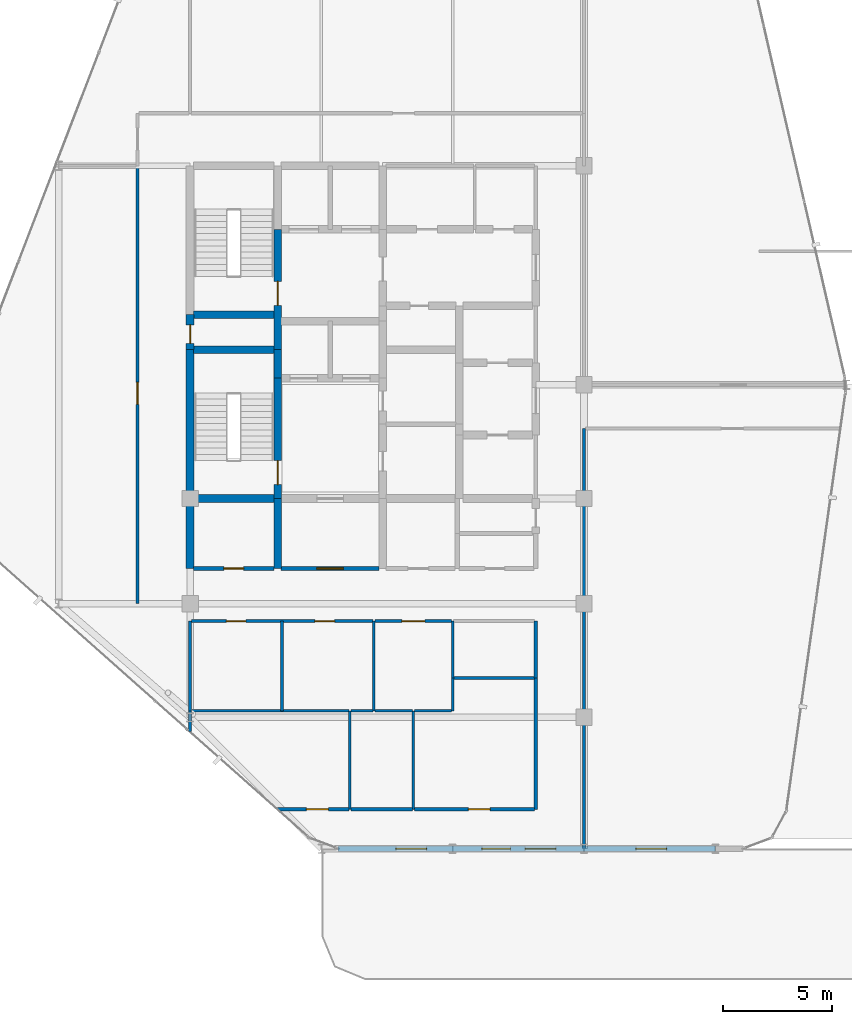
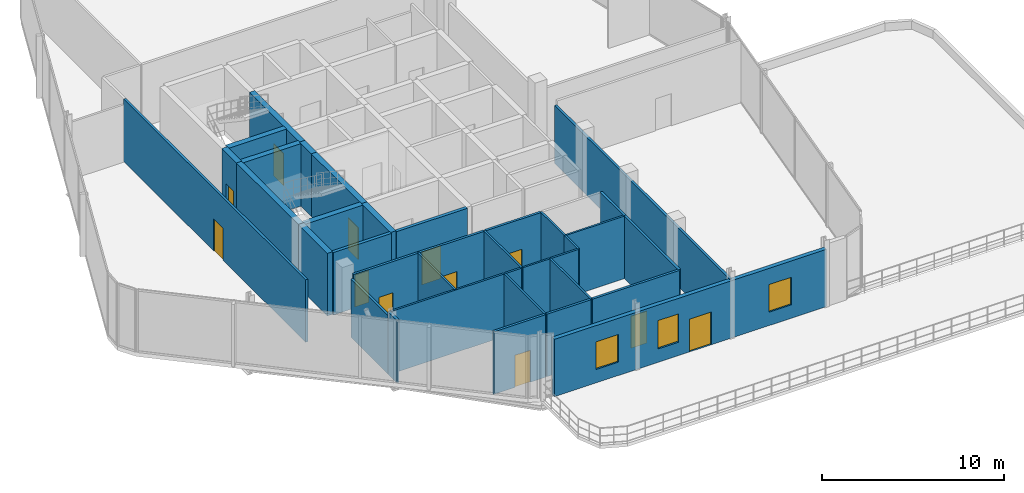
# One storey, part 20 of 24: 35 walls, 12 doors, 3 windows, 15 openings.
"""IFC4 building model written with IfcOpenShell, lengths in metres."""

from ifc_helpers import new_model, si_unit, direction, frame, frame_2d, origin, place, context, subcontext, project, spatial, rectangle, extrude, material, layer, layer_set, type_object, element, fill, save


model = new_model("IFC4")

# Units and contexts
model_context = context("Model", 3, precision=1e-05, world=origin(), true_north=direction((0.0, 1.0)))
body_context = subcontext(model_context, "Body", "Model", "MODEL_VIEW")
ifc_project = project(units=[si_unit("LENGTHUNIT", "METRE"), si_unit("AREAUNIT", "SQUARE_METRE"), si_unit("VOLUMEUNIT", "CUBIC_METRE"), si_unit("PLANEANGLEUNIT", "RADIAN"), si_unit("MASSUNIT", "GRAM", prefix="KILO")], contexts=[model_context])

# Site, building, storey
site_placement = place(None, origin())
site = spatial("IfcSite", under=ifc_project, at=site_placement, CompositionType="ELEMENT")
building_placement = place(site_placement, origin())
building = spatial("IfcBuilding", under=site, at=building_placement, Name="Keshet Zoharim Tower", CompositionType="ELEMENT")
storey_placement = place(building_placement, frame((0.0, 0.0, 242.800048828125)))
storey = spatial("IfcBuildingStorey", under=building, at=storey_placement, Name="L60", CompositionType="ELEMENT", Elevation=242.800048828125)

# Wall, opening, door
ifc_material_1 = material(Name="Gypsum Plasterboard", Category="gypsum")
ifc_layer_1 = layer(ifc_material_1, 0.14990234375)
ifc_layer_set_1 = layer_set([ifc_layer_1], Name="Gypsum Plasterboard")
wall_type_1 = type_object("IfcWallType", Name="WL-CLIN-150", PredefinedType="STANDARD", material=ifc_layer_set_1)
wall_1_placement = place(storey_placement, frame((12.60009765625, 17.89990234375, 0.0), z_axis=(0.0, 0.0, 1.0), x_axis=(0.0, 1.0, 0.0)))
wall_1 = element("IfcWall", 1, at=wall_1_placement, inside=storey, type_object=wall_type_1, Name="L60 Interior Wall 001", PredefinedType="STANDARD", context=body_context, shape_type="SweptSolid", body=[
    extrude(rectangle(XDim=20.0, YDim=0.14990234375, at=frame_2d((10.0, 0.0))), origin(), (0.0, 0.0, 1.0), 4.18994140625),
])
opening_1_placement = place(wall_1_placement, frame((9.10009765625, 0.0, 0.0)))
opening_1 = element("IfcOpeningElement", 2, at=opening_1_placement, cuts=wall_1, Name="Opening D-F310", PredefinedType="OPENING", context=body_context, shape_type="SweptSolid", body=[
    extrude(rectangle(XDim=1.0, YDim=2.14990234375, at=frame_2d((0.5, 1.074951171875))), frame((0.0, 0.0849609375, 0.0), z_axis=(0.0, -1.0, 0.0), x_axis=(1.0, 0.0, 0.0)), (0.0, 0.0, 1.0), 0.169921875),
])
ifc_material_2 = material(Name="Hardwood Timber", Category="wood")
door_type_1 = type_object("IfcDoorType", Name="DR-FD30-100", OperationType="NOTDEFINED", PredefinedType="DOOR", material=ifc_material_2)
door_1_placement = place(opening_1_placement, origin())
door_1 = element("IfcDoor", 3, at=door_1_placement, inside=storey, type_object=door_type_1, Name="L60 Children Playroom Door", OperationType="SINGLE_SWING_RIGHT", OverallHeight=2.14990234375, OverallWidth=1.0, PredefinedType="DOOR", context=body_context, shape_type="SweptSolid", body=[
    extrude(rectangle(XDim=1.0, YDim=2.14990234375, at=frame_2d((0.5, 1.074951171875))), frame((0.0, 0.02490234375, 0.0), z_axis=(0.0, -1.0, 0.0), x_axis=(1.0, 0.0, 0.0)), (0.0, 0.0, 1.0), 0.050048828125),
])
fill(opening_1, door_1)

# Walls
wall_2_placement = place(storey_placement, frame((15.0, 12.04296875, 0.0), z_axis=(0.0, 0.0, 1.0), x_axis=(0.0, 1.0, 0.0)))
element("IfcWall", 4, at=wall_2_placement, inside=storey, type_object=wall_type_1, Name="L60 Interior Wall 003", PredefinedType="STANDARD", context=body_context, shape_type="SweptSolid", body=[
    extrude(rectangle(XDim=0.95703125, YDim=0.14990234375, at=frame_2d((0.478515625, 0.0))), origin(), (0.0, 0.0, 1.0), 4.18994140625),
])
wall_3_placement = place(storey_placement, frame((15.0, 13.0, 0.0), z_axis=(0.0, 0.0, 1.0), x_axis=(0.0, 1.0, 0.0)))
element("IfcWall", 5, at=wall_3_placement, inside=storey, type_object=wall_type_1, Name="L60 Interior Wall 004", PredefinedType="STANDARD", context=body_context, shape_type="SweptSolid", body=[
    extrude(rectangle(XDim=4.10009765625, YDim=0.14990234375, at=frame_2d((2.050048828125, 0.0))), origin(), (0.0, 0.0, 1.0), 3.89990234375),
])
wall_4_placement = place(storey_placement, frame((30.800048828125, 8.5, 0.0), z_axis=(0.0, 0.0, 1.0), x_axis=(0.0, 1.0, 0.0)))
element("IfcWall", 6, at=wall_4_placement, inside=storey, type_object=wall_type_1, Name="L60 Interior Wall 037", PredefinedType="STANDARD", context=body_context, shape_type="SweptSolid", body=[
    extrude(rectangle(XDim=6.0, YDim=0.14990234375, at=frame_2d((3.0, 0.0))), origin(), (0.0, 0.0, 1.0), 4.18994140625),
])
wall_5_placement = place(storey_placement, frame((30.800048828125, 14.5, 0.0), z_axis=(0.0, 0.0, 1.0), x_axis=(0.0, 1.0, 0.0)))
element("IfcWall", 7, at=wall_5_placement, inside=storey, type_object=wall_type_1, Name="L60 Interior Wall 038", PredefinedType="STANDARD", context=body_context, shape_type="SweptSolid", body=[
    extrude(rectangle(XDim=2.60009765625, YDim=0.14990234375, at=frame_2d((1.300048828125, 0.0))), origin(), (0.0, 0.0, 1.0), 4.18994140625),
])
wall_6_placement = place(storey_placement, frame((33.0, 6.7099609375, 0.0), z_axis=(0.0, 0.0, 1.0), x_axis=(0.0, 1.0, 0.0)))
element("IfcWall", 8, at=wall_6_placement, inside=storey, type_object=wall_type_1, Name="L60 Interior Wall 046", PredefinedType="STANDARD", context=body_context, shape_type="SweptSolid", body=[
    extrude(rectangle(XDim=19.18994140625, YDim=0.14990234375, at=frame_2d((9.594970703125, 0.0))), origin(), (0.0, 0.0, 1.0), 3.89990234375),
])

# Wall, opening, door
wall_7_placement = place(storey_placement, frame((18.985107421875, 8.5, 0.0), z_axis=(0.0, 0.0, 1.0), x_axis=(1.0, 0.0, 0.0)))
wall_7 = element("IfcWall", 9, at=wall_7_placement, inside=storey, type_object=wall_type_1, Name="L60 Interior Wall 049", PredefinedType="STANDARD", context=body_context, shape_type="SweptSolid", body=[
    extrude(rectangle(XDim=3.269775390625, YDim=0.14990234375, at=frame_2d((1.634765625, 0.0))), origin(), (0.0, 0.0, 1.0), 4.18994140625),
])
opening_2_placement = place(wall_7_placement, frame((1.3330078125, 0.0, 0.0)))
opening_2 = element("IfcOpeningElement", 10, at=opening_2_placement, cuts=wall_7, Name="Opening D-F310", PredefinedType="OPENING", context=body_context, shape_type="SweptSolid", body=[
    extrude(rectangle(XDim=1.0, YDim=2.14990234375, at=frame_2d((0.5, 1.074951171875))), frame((0.0, 0.0849609375, 0.0), z_axis=(0.0, -1.0, 0.0), x_axis=(1.0, 0.0, 0.0)), (0.0, 0.0, 1.0), 0.169921875),
])
door_2_placement = place(opening_2_placement, origin())
door_2 = element("IfcDoor", 11, at=door_2_placement, inside=storey, type_object=door_type_1, Name="L60 Residents Laundry Room Door", OperationType="SINGLE_SWING_LEFT", OverallHeight=2.14990234375, OverallWidth=1.0, PredefinedType="DOOR", context=body_context, shape_type="SweptSolid", body=[
    extrude(rectangle(XDim=1.0, YDim=2.14990234375, at=frame_2d((0.5, 1.074951171875))), frame((0.0, 0.02490234375, 0.0), z_axis=(0.0, -1.0, 0.0), x_axis=(1.0, 0.0, 0.0)), (0.0, 0.0, 1.0), 0.050048828125),
])
fill(opening_2, door_2)

# Wall
wall_8_placement = place(storey_placement, frame((22.344970703125, 8.5, 0.0), z_axis=(0.0, 0.0, 1.0), x_axis=(1.0, 0.0, 0.0)))
element("IfcWall", 12, at=wall_8_placement, inside=storey, type_object=wall_type_1, Name="L60 Interior Wall 050", PredefinedType="STANDARD", context=body_context, shape_type="SweptSolid", body=[
    extrude(rectangle(XDim=2.81005859375, YDim=0.14990234375, at=frame_2d((1.405029296875, 0.0))), origin(), (0.0, 0.0, 1.0), 4.18994140625),
])

# Wall, opening, door
wall_9_placement = place(storey_placement, frame((25.2451171875, 8.5, 0.0), z_axis=(0.0, 0.0, 1.0), x_axis=(1.0, 0.0, 0.0)))
wall_9 = element("IfcWall", 13, at=wall_9_placement, inside=storey, type_object=wall_type_1, Name="L60 Interior Wall 051", PredefinedType="STANDARD", context=body_context, shape_type="SweptSolid", body=[
    extrude(rectangle(XDim=5.494873046875, YDim=0.14990234375, at=frame_2d((2.74755859375, 0.0))), origin(), (0.0, 0.0, 1.0), 4.18994140625),
])
opening_3_placement = place(wall_9_placement, frame((2.468994140625, 0.0, 0.0)))
opening_3 = element("IfcOpeningElement", 14, at=opening_3_placement, cuts=wall_9, Name="Opening D-F310", PredefinedType="OPENING", context=body_context, shape_type="SweptSolid", body=[
    extrude(rectangle(XDim=1.0, YDim=2.14990234375, at=frame_2d((0.5, 1.074951171875))), frame((0.0, 0.0849609375, 0.0), z_axis=(0.0, -1.0, 0.0), x_axis=(1.0, 0.0, 0.0)), (0.0, 0.0, 1.0), 0.169921875),
])
door_3_placement = place(opening_3_placement, origin())
door_3 = element("IfcDoor", 15, at=door_3_placement, inside=storey, type_object=door_type_1, Name="L60 Shared Residents Kitchen Door", OperationType="SINGLE_SWING_RIGHT", OverallHeight=2.14990234375, OverallWidth=1.0, PredefinedType="DOOR", context=body_context, shape_type="SweptSolid", body=[
    extrude(rectangle(XDim=1.0, YDim=2.14990234375, at=frame_2d((0.5, 1.074951171875))), frame((0.0, 0.02490234375, 0.0), z_axis=(0.0, -1.0, 0.0), x_axis=(1.0, 0.0, 0.0)), (0.0, 0.0, 1.0), 0.050048828125),
])
fill(opening_3, door_3)

# Wall, openings, doors
wall_10_placement = place(storey_placement, frame((15.06005859375, 17.10009765625, 0.0), z_axis=(0.0, 0.0, 1.0), x_axis=(1.0, 0.0, 0.0)))
wall_10 = element("IfcWall", 16, at=wall_10_placement, inside=storey, type_object=wall_type_1, Name="L60 Interior Wall 057", PredefinedType="STANDARD", context=body_context, shape_type="SweptSolid", body=[
    extrude(rectangle(XDim=8.294921875, YDim=0.14990234375, at=frame_2d((4.1474609375, 0.0))), origin(), (0.0, 0.0, 1.0), 4.18994140625),
])
opening_4_placement = place(wall_10_placement, frame((1.594970703125, 0.0, 0.0)))
opening_4 = element("IfcOpeningElement", 17, at=opening_4_placement, cuts=wall_10, Name="Opening D-WT90", PredefinedType="OPENING", context=body_context, shape_type="SweptSolid", body=[
    extrude(rectangle(XDim=0.89990234375, YDim=2.10009765625, at=frame_2d((0.449951171875, 1.050048828125))), frame((0.0, 0.0849609375, 0.0), z_axis=(0.0, -1.0, 0.0), x_axis=(1.0, 0.0, 0.0)), (0.0, 0.0, 1.0), 0.169921875),
])
opening_5_placement = place(wall_10_placement, frame((5.64501953125, 0.0, 0.0)))
opening_5 = element("IfcOpeningElement", 18, at=opening_5_placement, cuts=wall_10, Name="Opening D-WT90", PredefinedType="OPENING", context=body_context, shape_type="SweptSolid", body=[
    extrude(rectangle(XDim=0.89990234375, YDim=2.10009765625, at=frame_2d((0.449951171875, 1.050048828125))), frame((0.0, 0.0849609375, 0.0), z_axis=(0.0, -1.0, 0.0), x_axis=(1.0, 0.0, 0.0)), (0.0, 0.0, 1.0), 0.169921875),
])
door_type_2 = type_object("IfcDoorType", Name="DR-WET-090", OperationType="NOTDEFINED", PredefinedType="DOOR", material=ifc_material_2)
door_4_placement = place(opening_4_placement, origin())
door_4 = element("IfcDoor", 19, at=door_4_placement, inside=storey, type_object=door_type_2, Name="L60 Public WCM Door", OperationType="SINGLE_SWING_LEFT", OverallHeight=2.10009765625, OverallWidth=0.89990234375, PredefinedType="DOOR", context=body_context, shape_type="SweptSolid", body=[
    extrude(rectangle(XDim=0.89990234375, YDim=2.10009765625, at=frame_2d((0.449951171875, 1.050048828125))), frame((0.0, 0.02490234375, 0.0), z_axis=(0.0, -1.0, 0.0), x_axis=(1.0, 0.0, 0.0)), (0.0, 0.0, 1.0), 0.050048828125),
])
fill(opening_4, door_4)
door_5_placement = place(opening_5_placement, origin())
door_5 = element("IfcDoor", 20, at=door_5_placement, inside=storey, type_object=door_type_2, Name="L60 Public WCF Door", OperationType="SINGLE_SWING_RIGHT", OverallHeight=2.10009765625, OverallWidth=0.89990234375, PredefinedType="DOOR", context=body_context, shape_type="SweptSolid", body=[
    extrude(rectangle(XDim=0.89990234375, YDim=2.10009765625, at=frame_2d((0.449951171875, 1.050048828125))), frame((0.0, 0.02490234375, 0.0), z_axis=(0.0, -1.0, 0.0), x_axis=(1.0, 0.0, 0.0)), (0.0, 0.0, 1.0), 0.050048828125),
])
fill(opening_5, door_5)

# Wall, opening, door
wall_11_placement = place(storey_placement, frame((23.445068359375, 17.10009765625, 0.0), z_axis=(0.0, 0.0, 1.0), x_axis=(1.0, 0.0, 0.0)))
wall_11 = element("IfcWall", 21, at=wall_11_placement, inside=storey, type_object=wall_type_1, Name="L60 Interior Wall 058", PredefinedType="STANDARD", context=body_context, shape_type="SweptSolid", body=[
    extrude(rectangle(XDim=3.510009765625, YDim=0.14990234375, at=frame_2d((1.7548828125, 0.0))), origin(), (0.0, 0.0, 1.0), 4.18994140625),
])
opening_6_placement = place(wall_11_placement, frame((1.22998046875, 0.0, 0.0)))
opening_6 = element("IfcOpeningElement", 22, at=opening_6_placement, cuts=wall_11, Name="Opening D-AC10", PredefinedType="OPENING", context=body_context, shape_type="SweptSolid", body=[
    extrude(rectangle(XDim=1.050048828125, YDim=2.14990234375, at=frame_2d((0.52490234375, 1.074951171875))), frame((0.0, 0.0849609375, 0.0), z_axis=(0.0, -1.0, 0.0), x_axis=(1.0, 0.0, 0.0)), (0.0, 0.0, 1.0), 0.169921875),
])
door_type_3 = type_object("IfcDoorType", Name="DR-ACC-105", OperationType="NOTDEFINED", PredefinedType="DOOR", material=ifc_material_2)
door_6_placement = place(opening_6_placement, origin())
door_6 = element("IfcDoor", 23, at=door_6_placement, inside=storey, type_object=door_type_3, Name="L60 Public WCA Door", OperationType="SINGLE_SWING_LEFT", OverallHeight=2.14990234375, OverallWidth=1.050048828125, PredefinedType="DOOR", context=body_context, shape_type="SweptSolid", body=[
    extrude(rectangle(XDim=1.050048828125, YDim=2.14990234375, at=frame_2d((0.52490234375, 1.074951171875))), frame((0.0, 0.02490234375, 0.0), z_axis=(0.0, -1.0, 0.0), x_axis=(1.0, 0.0, 0.0)), (0.0, 0.0, 1.0), 0.050048828125),
])
fill(opening_6, door_6)

# Walls
ifc_material_3 = material(Name="Concrete C60/75", Category="concrete")
ifc_layer_2 = layer(ifc_material_3, 0.35009765625)
ifc_layer_set_2 = layer_set([ifc_layer_2], Name="Concrete C60/75")
wall_type_2 = type_object("IfcWallType", Name="WL-CORE-350", PredefinedType="SHEAR", material=ifc_layer_set_2)
wall_12_placement = place(storey_placement, frame((15.0, 19.5, 0.0), z_axis=(0.0, 0.0, 1.0), x_axis=(0.0, 1.0, 0.0)))
element("IfcWall", 24, at=wall_12_placement, inside=storey, type_object=wall_type_2, Name="L60 Core Shear Wall 005", PredefinedType="SHEAR", context=body_context, shape_type="SweptSolid", body=[
    extrude(rectangle(XDim=3.199951171875, YDim=0.35009765625, at=frame_2d((1.60009765625, 0.0))), origin(), (0.0, 0.0, 1.0), 4.18994140625),
])
wall_13_placement = place(storey_placement, frame((15.0, 22.699951171875, 0.0), z_axis=(0.0, 0.0, 1.0), x_axis=(0.0, 1.0, 0.0)))
element("IfcWall", 25, at=wall_13_placement, inside=storey, type_object=wall_type_2, Name="L60 Core Shear Wall 006", PredefinedType="SHEAR", context=body_context, shape_type="SweptSolid", body=[
    extrude(rectangle(XDim=6.800048828125, YDim=0.35009765625, at=frame_2d((3.39990234375, 0.0))), origin(), (0.0, 0.0, 1.0), 4.18994140625),
])

# Wall, opening, door
wall_14_placement = place(storey_placement, frame((15.0, 29.5, 0.0), z_axis=(0.0, 0.0, 1.0), x_axis=(0.0, 1.0, 0.0)))
wall_14 = element("IfcWall", 26, at=wall_14_placement, inside=storey, type_object=wall_type_2, Name="L60 Core Shear Wall 007", PredefinedType="SHEAR", context=body_context, shape_type="SweptSolid", body=[
    extrude(rectangle(XDim=1.60009765625, YDim=0.35009765625, at=frame_2d((0.800048828125, 0.0))), origin(), (0.0, 0.0, 1.0), 4.18994140625),
])
opening_7_placement = place(wall_14_placement, frame((0.287109375, 0.0, 0.0)))
opening_7 = element("IfcOpeningElement", 27, at=opening_7_placement, cuts=wall_14, Name="Opening D-RS85", PredefinedType="OPENING", context=body_context, shape_type="SweptSolid", body=[
    extrude(rectangle(XDim=0.85009765625, YDim=2.10009765625, at=frame_2d((0.425048828125, 1.050048828125))), frame((0.0, 0.18505859375, 0.0), z_axis=(0.0, -1.0, 0.0), x_axis=(1.0, 0.0, 0.0)), (0.0, 0.0, 1.0), 0.3701171875),
])
door_type_4 = type_object("IfcDoorType", Name="DR-RIS-085", OperationType="NOTDEFINED", PredefinedType="DOOR", material=ifc_material_2)
door_7_placement = place(opening_7_placement, origin())
door_7 = element("IfcDoor", 28, at=door_7_placement, inside=storey, type_object=door_type_4, Name="L60 Electrical Riser Access Cupboard Door", OperationType="SINGLE_SWING_RIGHT", OverallHeight=2.10009765625, OverallWidth=0.85009765625, PredefinedType="DOOR", context=body_context, shape_type="SweptSolid", body=[
    extrude(rectangle(XDim=0.85009765625, YDim=2.10009765625, at=frame_2d((0.425048828125, 1.050048828125))), frame((0.0, 0.02490234375, 0.0), z_axis=(0.0, -1.0, 0.0), x_axis=(1.0, 0.0, 0.0)), (0.0, 0.0, 1.0), 0.050048828125),
])
fill(opening_7, door_7)

# Wall
wall_15_placement = place(storey_placement, frame((19.0, 19.5, 0.0), z_axis=(0.0, 0.0, 1.0), x_axis=(0.0, 1.0, 0.0)))
element("IfcWall", 29, at=wall_15_placement, inside=storey, type_object=wall_type_2, Name="L60 Core Shear Wall 010", PredefinedType="SHEAR", context=body_context, shape_type="SweptSolid", body=[
    extrude(rectangle(XDim=3.199951171875, YDim=0.35009765625, at=frame_2d((1.60009765625, 0.0))), origin(), (0.0, 0.0, 1.0), 4.18994140625),
])

# Wall, opening, door
wall_16_placement = place(storey_placement, frame((19.0, 22.699951171875, 0.0), z_axis=(0.0, 0.0, 1.0), x_axis=(0.0, 1.0, 0.0)))
wall_16 = element("IfcWall", 30, at=wall_16_placement, inside=storey, type_object=wall_type_2, Name="L60 Core Shear Wall 011", PredefinedType="SHEAR", context=body_context, shape_type="SweptSolid", body=[
    extrude(rectangle(XDim=5.5, YDim=0.35009765625, at=frame_2d((2.75, 0.0))), origin(), (0.0, 0.0, 1.0), 4.18994140625),
])
opening_8_placement = place(wall_16_placement, frame((0.631103515625, 0.0, 0.0)))
opening_8 = element("IfcOpeningElement", 31, at=opening_8_placement, cuts=wall_16, Name="Opening D-F611", PredefinedType="OPENING", context=body_context, shape_type="SweptSolid", body=[
    extrude(rectangle(XDim=1.10009765625, YDim=2.14990234375, at=frame_2d((0.550048828125, 1.074951171875))), frame((0.0, 0.18505859375, 0.0), z_axis=(0.0, -1.0, 0.0), x_axis=(1.0, 0.0, 0.0)), (0.0, 0.0, 1.0), 0.3701171875),
])
door_type_5 = type_object("IfcDoorType", Name="DR-FD60-110", OperationType="NOTDEFINED", PredefinedType="DOOR", material=ifc_material_2)
door_8_placement = place(opening_8_placement, origin())
door_8 = element("IfcDoor", 32, at=door_8_placement, inside=storey, type_object=door_type_5, Name="L60 Exit Stair ST-01 Fire Door", OperationType="SINGLE_SWING_LEFT", OverallHeight=2.14990234375, OverallWidth=1.10009765625, PredefinedType="DOOR", context=body_context, shape_type="SweptSolid", body=[
    extrude(rectangle(XDim=1.10009765625, YDim=2.14990234375, at=frame_2d((0.550048828125, 1.074951171875))), frame((0.0, 0.02490234375, 0.0), z_axis=(0.0, -1.0, 0.0), x_axis=(1.0, 0.0, 0.0)), (0.0, 0.0, 1.0), 0.050048828125),
])
fill(opening_8, door_8)

# Wall
wall_17_placement = place(storey_placement, frame((19.0, 28.199951171875, 0.0), z_axis=(0.0, 0.0, 1.0), x_axis=(0.0, 1.0, 0.0)))
element("IfcWall", 33, at=wall_17_placement, inside=storey, type_object=wall_type_2, Name="L60 Core Shear Wall 012", PredefinedType="SHEAR", context=body_context, shape_type="SweptSolid", body=[
    extrude(rectangle(XDim=1.300048828125, YDim=0.35009765625, at=frame_2d((0.64990234375, 0.0))), origin(), (0.0, 0.0, 1.0), 4.18994140625),
])

# Wall, opening, door
wall_18_placement = place(storey_placement, frame((19.0, 29.5, 0.0), z_axis=(0.0, 0.0, 1.0), x_axis=(0.0, 1.0, 0.0)))
wall_18 = element("IfcWall", 34, at=wall_18_placement, inside=storey, type_object=wall_type_2, Name="L60 Core Shear Wall 013", PredefinedType="SHEAR", context=body_context, shape_type="SweptSolid", body=[
    extrude(rectangle(XDim=5.5, YDim=0.35009765625, at=frame_2d((2.75, 0.0))), origin(), (0.0, 0.0, 1.0), 4.18994140625),
])
opening_9_placement = place(wall_18_placement, frame((2.02490234375, 0.0, 0.0)))
opening_9 = element("IfcOpeningElement", 35, at=opening_9_placement, cuts=wall_18, Name="Opening D-F611", PredefinedType="OPENING", context=body_context, shape_type="SweptSolid", body=[
    extrude(rectangle(XDim=1.10009765625, YDim=2.14990234375, at=frame_2d((0.550048828125, 1.074951171875))), frame((0.0, 0.18505859375, 0.0), z_axis=(0.0, -1.0, 0.0), x_axis=(1.0, 0.0, 0.0)), (0.0, 0.0, 1.0), 0.3701171875),
])
door_9_placement = place(opening_9_placement, origin())
door_9 = element("IfcDoor", 36, at=door_9_placement, inside=storey, type_object=door_type_5, Name="L60 Exit Stair ST-02 Fire Door", OperationType="SINGLE_SWING_RIGHT", OverallHeight=2.14990234375, OverallWidth=1.10009765625, PredefinedType="DOOR", context=body_context, shape_type="SweptSolid", body=[
    extrude(rectangle(XDim=1.10009765625, YDim=2.14990234375, at=frame_2d((0.550048828125, 1.074951171875))), frame((0.0, 0.02490234375, 0.0), z_axis=(0.0, -1.0, 0.0), x_axis=(1.0, 0.0, 0.0)), (0.0, 0.0, 1.0), 0.050048828125),
])
fill(opening_9, door_9)

# Walls
for number, where, z_axis, x_axis, name in (
    (37, (15.159912109375, 22.699951171875, 0.0), (0.0, 0.0, 1.0), (1.0, 0.0, 0.0), "L60 Core Shear Wall 065"),
    (38, (15.159912109375, 29.5, 0.0), (0.0, 0.0, 1.0), (1.0, 0.0, 0.0), "L60 Core Shear Wall 075"),
    (39, (15.159912109375, 31.10009765625, 0.0), (0.0, 0.0, 1.0), (1.0, 0.0, 0.0), "L60 Core Shear Wall 078"),
):
    element("IfcWall", number, at=place(storey_placement, frame(where, z_axis=z_axis, x_axis=x_axis)), inside=storey, type_object=wall_type_2, Name=name, PredefinedType="SHEAR", context=body_context, shape_type="SweptSolid", body=[
        extrude(rectangle(XDim=3.68017578125, YDim=0.35009765625, at=frame_2d((1.840087890625, 0.0))), origin(), (0.0, 0.0, 1.0), 4.18994140625),
    ])

# Wall, openings, door, windows
ifc_material_4 = material(Name="Concrete C50/60 precast", Category="concrete")
ifc_layer_3 = layer(ifc_material_4, 0.260009765625)
ifc_layer_set_3 = layer_set([ifc_layer_3], Name="Concrete C50/60 precast")
wall_type_3 = type_object("IfcWallType", Name="WL-EXT-260", PredefinedType="STANDARD", material=ifc_layer_set_3)
wall_19_placement = place(storey_placement, frame((39.0, 6.699951171875, 0.0), z_axis=(0.0, 0.0, 1.0), x_axis=(-1.0, 0.0, 0.0)))
wall_19 = element("IfcWall", 40, at=wall_19_placement, inside=storey, type_object=wall_type_3, Name="L60 Exterior Facade Wall 01 Part 2", PredefinedType="STANDARD", context=body_context, shape_type="SweptSolid", body=[
    extrude(rectangle(XDim=17.239990234375, YDim=0.260009765625, at=frame_2d((8.6201171875, 0.0))), origin(), (0.0, 0.0, 1.0), 3.83984375),
])
opening_10_placement = place(wall_19_placement, frame((7.2880859375, 0.0, 0.0)))
opening_10 = element("IfcOpeningElement", 41, at=opening_10_placement, cuts=wall_19, Name="Opening D-TR14", PredefinedType="OPENING", context=body_context, shape_type="SweptSolid", body=[
    extrude(rectangle(XDim=1.39990234375, YDim=2.199951171875, at=frame_2d((0.699951171875, 1.10009765625))), frame((0.0, 0.14013671875, 0.0), z_axis=(0.0, -1.0, 0.0), x_axis=(1.0, 0.0, 0.0)), (0.0, 0.0, 1.0), 0.280029296875),
])
opening_11_placement = place(wall_19_placement, frame((2.22998046875, 0.0, 0.89990234375)))
opening_11 = element("IfcOpeningElement", 42, at=opening_11_placement, cuts=wall_19, Name="Opening W-140", PredefinedType="OPENING", context=body_context, shape_type="SweptSolid", body=[
    extrude(rectangle(XDim=1.39990234375, YDim=1.85009765625, at=frame_2d((0.699951171875, 0.925048828125))), frame((0.0, 0.14013671875, 0.0), z_axis=(0.0, -1.0, 0.0), x_axis=(1.0, 0.0, 0.0)), (0.0, 0.0, 1.0), 0.280029296875),
])
opening_12_placement = place(wall_19_placement, frame((9.366943359375, 0.0, 0.89990234375)))
opening_12 = element("IfcOpeningElement", 43, at=opening_12_placement, cuts=wall_19, Name="Opening W-130", PredefinedType="OPENING", context=body_context, shape_type="SweptSolid", body=[
    extrude(rectangle(XDim=1.300048828125, YDim=1.89990234375, at=frame_2d((0.64990234375, 0.949951171875))), frame((0.0, 0.14013671875, 0.0), z_axis=(0.0, -1.0, 0.0), x_axis=(1.0, 0.0, 0.0)), (0.0, 0.0, 1.0), 0.280029296875),
])
opening_13_placement = place(wall_19_placement, frame((13.196044921875, 0.0, 0.89990234375)))
opening_13 = element("IfcOpeningElement", 44, at=opening_13_placement, cuts=wall_19, Name="Opening W-140", PredefinedType="OPENING", context=body_context, shape_type="SweptSolid", body=[
    extrude(rectangle(XDim=1.39990234375, YDim=1.85009765625, at=frame_2d((0.699951171875, 0.925048828125))), frame((0.0, 0.14013671875, 0.0), z_axis=(0.0, -1.0, 0.0), x_axis=(1.0, 0.0, 0.0)), (0.0, 0.0, 1.0), 0.280029296875),
])
ifc_material_5 = material(Name="Aluminium 6063-T6", Category="aluminium")
door_type_6 = type_object("IfcDoorType", Name="DR-TER-140", OperationType="DOUBLE_DOOR_SINGLE_SWING", PredefinedType="DOOR", material=ifc_material_5)
door_10_placement = place(opening_10_placement, origin())
door_10 = element("IfcDoor", 45, at=door_10_placement, inside=storey, type_object=door_type_6, Name="L60 Sky Terrace Access Door 01", OperationType="DOUBLE_DOOR_SINGLE_SWING", OverallHeight=2.199951171875, OverallWidth=1.39990234375, PredefinedType="DOOR", context=body_context, shape_type="SweptSolid", body=[
    extrude(rectangle(XDim=1.39990234375, YDim=2.199951171875, at=frame_2d((0.699951171875, 1.10009765625))), frame((0.0, 0.02490234375, 0.0), z_axis=(0.0, -1.0, 0.0), x_axis=(1.0, 0.0, 0.0)), (0.0, 0.0, 1.0), 0.050048828125),
])
fill(opening_10, door_10)
ifc_material_6 = material(Name="Insulated Low-E Clear Glass", Category="glass")
window_type_1 = type_object("IfcWindowType", Name="WN-CRN-130", PartitioningType="SINGLE_PANEL", PredefinedType="WINDOW", material=ifc_material_6)
window_1_placement = place(opening_12_placement, origin())
window_1 = element("IfcWindow", 46, at=window_1_placement, inside=storey, type_object=window_type_1, Name="L60 Terrace Side Window 02", OverallHeight=1.89990234375, OverallWidth=1.300048828125, PartitioningType="SINGLE_PANEL", PredefinedType="WINDOW", context=body_context, shape_type="SweptSolid", body=[
    extrude(rectangle(XDim=1.300048828125, YDim=1.89990234375, at=frame_2d((0.64990234375, 0.949951171875))), frame((0.0, 0.030029296875, 0.0), z_axis=(0.0, -1.0, 0.0), x_axis=(1.0, 0.0, 0.0)), (0.0, 0.0, 1.0), 0.06005859375),
])
fill(opening_12, window_1)
window_type_2 = type_object("IfcWindowType", Name="WN-TER-140", PartitioningType="SINGLE_PANEL", PredefinedType="WINDOW", material=ifc_material_6)
window_2_placement = place(opening_11_placement, origin())
window_2 = element("IfcWindow", 47, at=window_2_placement, inside=storey, type_object=window_type_2, Name="L60 Terrace Side Window 01", OverallHeight=1.85009765625, OverallWidth=1.39990234375, PartitioningType="SINGLE_PANEL", PredefinedType="WINDOW", context=body_context, shape_type="SweptSolid", body=[
    extrude(rectangle(XDim=1.39990234375, YDim=1.85009765625, at=frame_2d((0.699951171875, 0.925048828125))), frame((0.0, 0.030029296875, 0.0), z_axis=(0.0, -1.0, 0.0), x_axis=(1.0, 0.0, 0.0)), (0.0, 0.0, 1.0), 0.06005859375),
])
fill(opening_11, window_2)
window_3_placement = place(opening_13_placement, origin())
window_3 = element("IfcWindow", 48, at=window_3_placement, inside=storey, type_object=window_type_2, Name="L60 Terrace Side Window 03", OverallHeight=1.85009765625, OverallWidth=1.39990234375, PartitioningType="SINGLE_PANEL", PredefinedType="WINDOW", context=body_context, shape_type="SweptSolid", body=[
    extrude(rectangle(XDim=1.39990234375, YDim=1.85009765625, at=frame_2d((0.699951171875, 0.925048828125))), frame((0.0, 0.030029296875, 0.0), z_axis=(0.0, -1.0, 0.0), x_axis=(1.0, 0.0, 0.0)), (0.0, 0.0, 1.0), 0.06005859375),
])
fill(opening_13, window_3)

# Wall, opening, door
ifc_material_7 = material(Name="Concrete C50/60", Category="concrete")
ifc_layer_4 = layer(ifc_material_7, 0.199951171875)
ifc_layer_set_4 = layer_set([ifc_layer_4], Name="Concrete C50/60")
wall_type_4 = type_object("IfcWallType", Name="WL-FIRE-200", PredefinedType="STANDARD", material=ifc_layer_set_4)
wall_20_placement = place(storey_placement, frame((15.159912109375, 19.5, 0.0), z_axis=(0.0, 0.0, 1.0), x_axis=(1.0, 0.0, 0.0)))
wall_20 = element("IfcWall", 49, at=wall_20_placement, inside=storey, type_object=wall_type_4, Name="L60 Interior Wall 060", PredefinedType="STANDARD", context=body_context, shape_type="SweptSolid", body=[
    extrude(rectangle(XDim=3.68017578125, YDim=0.199951171875, at=frame_2d((1.840087890625, 0.0))), origin(), (0.0, 0.0, 1.0), 4.18994140625),
])
opening_14_placement = place(wall_20_placement, frame((1.389892578125, 0.0, 0.0)))
opening_14 = element("IfcOpeningElement", 50, at=opening_14_placement, cuts=wall_20, Name="Opening D-F690", PredefinedType="OPENING", context=body_context, shape_type="SweptSolid", body=[
    extrude(rectangle(XDim=0.89990234375, YDim=2.14990234375, at=frame_2d((0.449951171875, 1.074951171875))), frame((0.0, 0.10986328125, 0.0), z_axis=(0.0, -1.0, 0.0), x_axis=(1.0, 0.0, 0.0)), (0.0, 0.0, 1.0), 0.219970703125),
])
door_type_7 = type_object("IfcDoorType", Name="DR-FD60-090", OperationType="NOTDEFINED", PredefinedType="DOOR", material=ifc_material_2)
door_11_placement = place(opening_14_placement, origin())
door_11 = element("IfcDoor", 51, at=door_11_placement, inside=storey, type_object=door_type_7, Name="L60 Refuse Store Door", OperationType="SINGLE_SWING_RIGHT", OverallHeight=2.14990234375, OverallWidth=0.89990234375, PredefinedType="DOOR", context=body_context, shape_type="SweptSolid", body=[
    extrude(rectangle(XDim=0.89990234375, YDim=2.14990234375, at=frame_2d((0.449951171875, 1.074951171875))), frame((0.0, 0.02490234375, 0.0), z_axis=(0.0, -1.0, 0.0), x_axis=(1.0, 0.0, 0.0)), (0.0, 0.0, 1.0), 0.050048828125),
])
fill(opening_14, door_11)

wall_21_placement = place(storey_placement, frame((19.159912109375, 19.5, 0.0), z_axis=(0.0, 0.0, 1.0), x_axis=(1.0, 0.0, 0.0)))
wall_21 = element("IfcWall", 52, at=wall_21_placement, inside=storey, type_object=wall_type_4, Name="L60 Interior Wall 061", PredefinedType="STANDARD", context=body_context, shape_type="SweptSolid", body=[
    extrude(rectangle(XDim=4.47998046875, YDim=0.199951171875, at=frame_2d((2.239990234375, 0.0))), origin(), (0.0, 0.0, 1.0), 4.18994140625),
])
opening_15_placement = place(wall_21_placement, frame((1.639892578125, 0.0, 0.0)))
opening_15 = element("IfcOpeningElement", 53, at=opening_15_placement, cuts=wall_21, Name="Opening D-F612", PredefinedType="OPENING", context=body_context, shape_type="SweptSolid", body=[
    extrude(rectangle(XDim=1.199951171875, YDim=2.199951171875, at=frame_2d((0.60009765625, 1.10009765625))), frame((0.0, 0.10986328125, 0.0), z_axis=(0.0, -1.0, 0.0), x_axis=(1.0, 0.0, 0.0)), (0.0, 0.0, 1.0), 0.219970703125),
])
door_type_8 = type_object("IfcDoorType", Name="DR-FD60-120", OperationType="NOTDEFINED", PredefinedType="DOOR", material=ifc_material_2)
door_12_placement = place(opening_15_placement, origin())
door_12 = element("IfcDoor", 54, at=door_12_placement, inside=storey, type_object=door_type_8, Name="L60 South Vestibule Corridor Door", OperationType="SINGLE_SWING_LEFT", OverallHeight=2.199951171875, OverallWidth=1.199951171875, PredefinedType="DOOR", context=body_context, shape_type="SweptSolid", body=[
    extrude(rectangle(XDim=1.199951171875, YDim=2.199951171875, at=frame_2d((0.60009765625, 1.10009765625))), frame((0.0, 0.02490234375, 0.0), z_axis=(0.0, -1.0, 0.0), x_axis=(1.0, 0.0, 0.0)), (0.0, 0.0, 1.0), 0.050048828125),
])
fill(opening_15, door_12)

# Walls
ifc_layer_5 = layer(ifc_material_1, 0.1201171875)
ifc_layer_set_5 = layer_set([ifc_layer_5], Name="Gypsum Plasterboard")
wall_type_5 = type_object("IfcWallType", Name="WL-PART-120", PredefinedType="PARTITIONING", material=ifc_layer_set_5)
for number, where, z_axis, x_axis, name in (
    (55, (22.300048828125, 8.5, 0.0), (0.0, 0.0, 1.0), (0.0, 1.0, 0.0), "L60 Interior Wall 018"),
    (56, (25.199951171875, 8.5, 0.0), (0.0, 0.0, 1.0), (0.0, 1.0, 0.0), "L60 Interior Wall 027"),
):
    element("IfcWall", number, at=place(storey_placement, frame(where, z_axis=z_axis, x_axis=x_axis)), inside=storey, type_object=wall_type_5, Name=name, PredefinedType="PARTITIONING", context=body_context, shape_type="SweptSolid", body=[
        extrude(rectangle(XDim=4.5, YDim=0.1201171875, at=frame_2d((2.25, 0.0))), origin(), (0.0, 0.0, 1.0), 4.18994140625),
    ])
wall_22_placement = place(storey_placement, frame((27.044921875, 14.5, 0.0), z_axis=(0.0, 0.0, 1.0), x_axis=(1.0, 0.0, 0.0)))
element("IfcWall", 57, at=wall_22_placement, inside=storey, type_object=wall_type_5, Name="L60 Interior Wall 056", PredefinedType="PARTITIONING", context=body_context, shape_type="SweptSolid", body=[
    extrude(rectangle(XDim=3.695068359375, YDim=0.1201171875, at=frame_2d((1.84765625, 0.0))), origin(), (0.0, 0.0, 1.0), 4.18994140625),
])
ifc_layer_6 = layer(ifc_material_1, 0.1201171875)
ifc_layer_set_6 = layer_set([ifc_layer_6], Name="Gypsum Plasterboard")
wall_type_6 = type_object("IfcWallType", Name="WL-WET-120", PredefinedType="PARTITIONING", material=ifc_layer_set_6)
for number, where, z_axis, x_axis, name in (
    (58, (19.199951171875, 13.0, 0.0), (0.0, 0.0, 1.0), (0.0, 1.0, 0.0), "L60 Interior Wall 015"),
    (59, (23.39990234375, 13.0, 0.0), (0.0, 0.0, 1.0), (0.0, 1.0, 0.0), "L60 Interior Wall 019"),
):
    element("IfcWall", number, at=place(storey_placement, frame(where, z_axis=z_axis, x_axis=x_axis)), inside=storey, type_object=wall_type_6, Name=name, PredefinedType="PARTITIONING", context=body_context, shape_type="SweptSolid", body=[
        extrude(rectangle(XDim=4.10009765625, YDim=0.1201171875, at=frame_2d((2.050048828125, 0.0))), origin(), (0.0, 0.0, 1.0), 4.18994140625),
    ])
wall_23_placement = place(storey_placement, frame((27.0, 13.0, 0.0), z_axis=(0.0, 0.0, 1.0), x_axis=(0.0, 1.0, 0.0)))
element("IfcWall", 60, at=wall_23_placement, inside=storey, type_object=wall_type_6, Name="L60 Interior Wall 028", PredefinedType="PARTITIONING", context=body_context, shape_type="SweptSolid", body=[
    extrude(rectangle(XDim=1.5, YDim=0.1201171875, at=frame_2d((0.75, 0.0))), origin(), (0.0, 0.0, 1.0), 4.18994140625),
])
wall_24_placement = place(storey_placement, frame((27.0, 14.5, 0.0), z_axis=(0.0, 0.0, 1.0), x_axis=(0.0, 1.0, 0.0)))
element("IfcWall", 61, at=wall_24_placement, inside=storey, type_object=wall_type_6, Name="L60 Interior Wall 029", PredefinedType="PARTITIONING", context=body_context, shape_type="SweptSolid", body=[
    extrude(rectangle(XDim=2.60009765625, YDim=0.1201171875, at=frame_2d((1.300048828125, 0.0))), origin(), (0.0, 0.0, 1.0), 4.18994140625),
])
wall_25_placement = place(storey_placement, frame((15.06005859375, 13.0, 0.0), z_axis=(0.0, 0.0, 1.0), x_axis=(1.0, 0.0, 0.0)))
element("IfcWall", 62, at=wall_25_placement, inside=storey, type_object=wall_type_6, Name="L60 Interior Wall 052", PredefinedType="PARTITIONING", context=body_context, shape_type="SweptSolid", body=[
    extrude(rectangle(XDim=7.19482421875, YDim=0.1201171875, at=frame_2d((3.597412109375, 0.0))), origin(), (0.0, 0.0, 1.0), 4.18994140625),
])
wall_26_placement = place(storey_placement, frame((22.344970703125, 13.0, 0.0), z_axis=(0.0, 0.0, 1.0), x_axis=(1.0, 0.0, 0.0)))
element("IfcWall", 63, at=wall_26_placement, inside=storey, type_object=wall_type_6, Name="L60 Interior Wall 053", PredefinedType="PARTITIONING", context=body_context, shape_type="SweptSolid", body=[
    extrude(rectangle(XDim=1.010009765625, YDim=0.1201171875, at=frame_2d((0.5048828125, 0.0))), origin(), (0.0, 0.0, 1.0), 4.18994140625),
])
for number, where, z_axis, x_axis, name in (
    (64, (23.445068359375, 13.0, 0.0), (0.0, 0.0, 1.0), (1.0, 0.0, 0.0), "L60 Interior Wall 054"),
    (65, (25.2451171875, 13.0, 0.0), (0.0, 0.0, 1.0), (1.0, 0.0, 0.0), "L60 Interior Wall 055"),
):
    element("IfcWall", number, at=place(storey_placement, frame(where, z_axis=z_axis, x_axis=x_axis)), inside=storey, type_object=wall_type_6, Name=name, PredefinedType="PARTITIONING", context=body_context, shape_type="SweptSolid", body=[
        extrude(rectangle(XDim=1.7099609375, YDim=0.1201171875, at=frame_2d((0.85498046875, 0.0))), origin(), (0.0, 0.0, 1.0), 4.18994140625),
    ])

save(model, "model.ifc")
